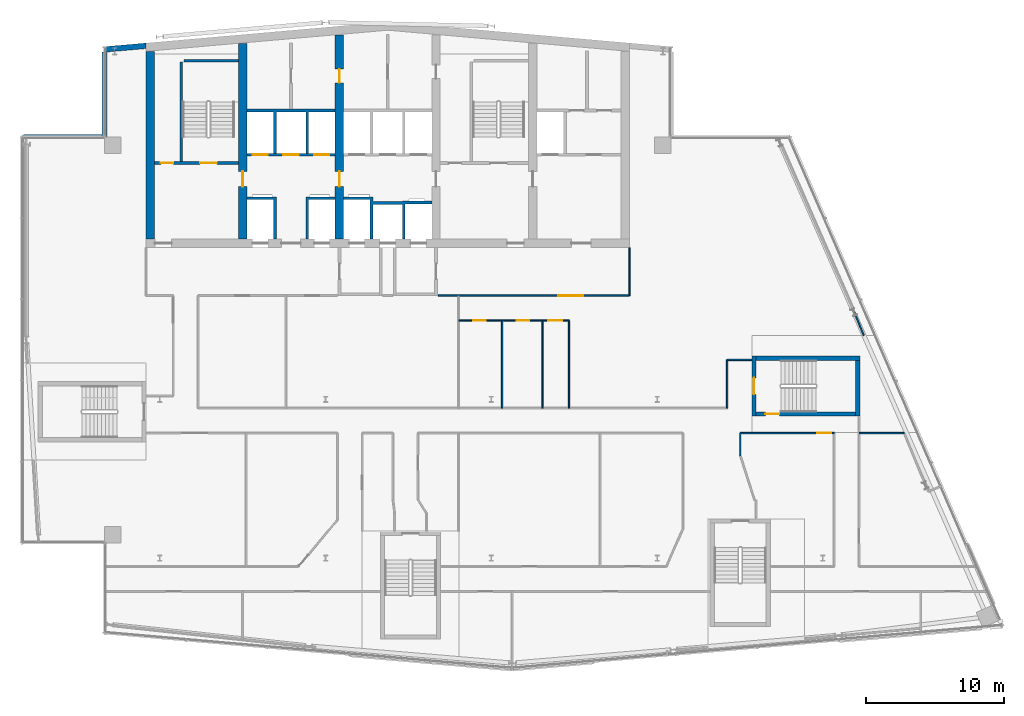
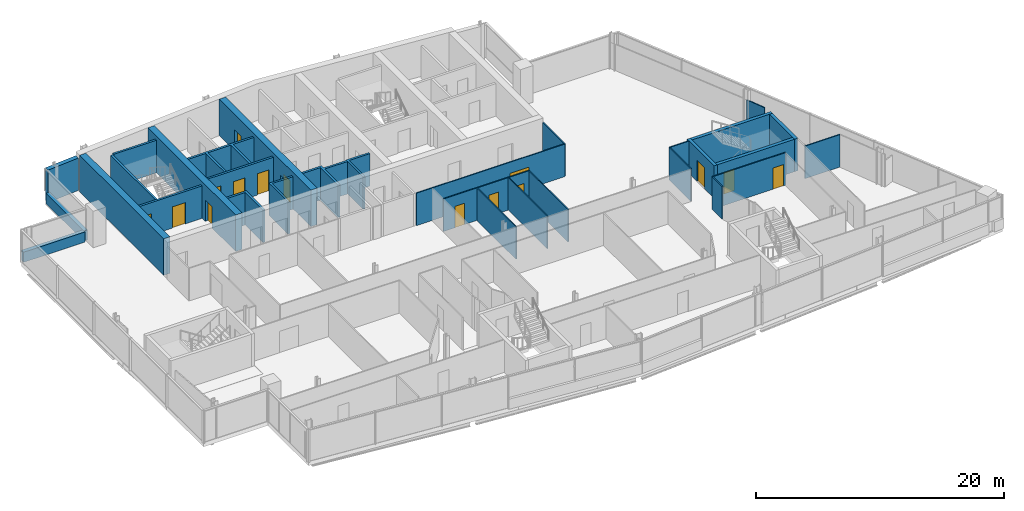
# One storey, part 17 of 22: 30 walls, 15 doors, 15 openings.
"""IFC4 building model written with IfcOpenShell, lengths in metres."""

import ifcopenshell
import ifcopenshell.guid

model = None  # the IFC model being written
_history = None  # IfcOwnerHistory: only IFC2X3 demands one
_inside = {}  # id of a spatial element -> (the spatial element, [elements in it])
_under = {}  # id of a project, library or spatial element -> (it, [spatial elements below it])
_declared = {}  # id of a project -> (the project, [libraries it declares])
_typed = {}  # id of a type object -> (the type object, [elements of that type])
_made_of = {}  # id of a material, layer set ... -> (it, [elements and type objects made of it])


def new_model(schema):
    """Start an empty IFC model of exactly this schema.

    Asked for "IFC4X3", IfcOpenShell would pick the latest addendum, in which some entities
    have other attributes; the version numbers below select the first issue.
    IFC2X3 requires an IfcOwnerHistory on every rooted entity: one is made here for all.
    """
    global model, _history
    if schema == "IFC4X3":
        model = ifcopenshell.file(schema_version=(4, 3, 0, 0))
    else:
        model = ifcopenshell.file(schema=schema)
    _inside.clear()
    _under.clear()
    _declared.clear()
    _typed.clear()
    _made_of.clear()
    _history = None
    if model.schema == "IFC2X3":
        org = make("IfcOrganization", Name="unknown")
        user = make(
            "IfcPersonAndOrganization",
            ThePerson=make("IfcPerson", FamilyName="unknown"),
            TheOrganization=org,
        )
        app = make(
            "IfcApplication",
            ApplicationDeveloper=org,
            Version="unknown",
            ApplicationFullName="unknown",
            ApplicationIdentifier="unknown",
        )
        _history = make(
            "IfcOwnerHistory",
            OwningUser=user,
            OwningApplication=app,
            ChangeAction="ADDED",
            CreationDate=0,
        )
    return model


def make(cls, **values):
    """One entity of the class cls with the attributes given. An attribute that is None is left unset."""
    return model.create_entity(
        cls, **{name: value for name, value in values.items() if value is not None}
    )


def rooted(cls, **values):
    """An entity with a GlobalId (a new one), such as an element, a storey or a relation."""
    return make(cls, GlobalId=ifcopenshell.guid.new(), OwnerHistory=_history, **values)


def si_unit(unit_type, name, prefix=None):
    """IfcSIUnit, for example si_unit("LENGTHUNIT", "METRE", prefix="MILLI")."""
    return make("IfcSIUnit", UnitType=unit_type, Prefix=prefix, Name=name)


def assignment(units):
    """IfcUnitAssignment: the units of a project."""
    return None if units is None else make("IfcUnitAssignment", Units=units)


def point(xyz):
    """IfcCartesianPoint."""
    return None if xyz is None else make("IfcCartesianPoint", Coordinates=xyz)


def direction(xyz):
    """IfcDirection."""
    return None if xyz is None else make("IfcDirection", DirectionRatios=xyz)


def frame(location, z_axis=None, x_axis=None):
    """IfcAxis2Placement3D, a coordinate frame: its origin and axes. An axis left out is left unset."""
    return make(
        "IfcAxis2Placement3D",
        Location=point(location),
        Axis=direction(z_axis),
        RefDirection=direction(x_axis),
    )


def frame_2d(location, x_axis=None):
    """IfcAxis2Placement2D, a coordinate frame in the plane: its origin and x axis."""
    return make(
        "IfcAxis2Placement2D", Location=point(location), RefDirection=direction(x_axis)
    )


def origin():
    """The frame at (0, 0, 0) with its axes left unset."""
    return frame((0.0, 0.0, 0.0))


def place(relative_to, where):
    """IfcLocalPlacement: puts the frame where relative to a parent placement (None: the world)."""
    return make(
        "IfcLocalPlacement", PlacementRelTo=relative_to, RelativePlacement=where
    )


def context(
    kind, dimensions, precision=None, world=None, true_north=None, identifier=None
):
    """IfcGeometricRepresentationContext, for example the 3D "Model" context."""
    return make(
        "IfcGeometricRepresentationContext",
        ContextIdentifier=identifier,
        ContextType=kind,
        CoordinateSpaceDimension=dimensions,
        Precision=precision,
        WorldCoordinateSystem=world,
        TrueNorth=true_north,
    )


def subcontext(parent, identifier, kind, view, scale=None):
    """IfcGeometricRepresentationSubContext, for example "Body" below "Model"."""
    return make(
        "IfcGeometricRepresentationSubContext",
        ContextIdentifier=identifier,
        ContextType=kind,
        ParentContext=parent,
        TargetScale=scale,
        TargetView=view,
    )


def project(units=None, contexts=None):
    """IfcProject with its units and contexts."""
    return rooted(
        "IfcProject",
        Name="project",
        RepresentationContexts=contexts,
        UnitsInContext=assignment(units),
    )


def spatial(cls, under=None, at=None, **own):
    """A site, building, storey or space (cls), placed at a placement, below another one or the project."""
    s = rooted(cls, ObjectPlacement=at, **own)
    if under is not None:
        _under.setdefault(under.id(), (under, []))[1].append(s)
    return s


def polyline(points):
    """IfcPolyline through the points."""
    return make("IfcPolyline", Points=[point(p) for p in points])


def profile(cls, at=None, kind="AREA", **sizes):
    """A parametric profile (cls). Its sizes go by their IFC names, for example OverallWidth=200.0."""
    return make(cls, ProfileType=kind, Position=at, **sizes)


def rectangle(**sizes):
    """IfcRectangleProfileDef."""
    return profile("IfcRectangleProfileDef", **sizes)


def outline(outer, holes=None, kind="AREA"):
    """IfcArbitraryClosedProfileDef: a profile drawn as a closed curve; with holes, ...WithVoids."""
    if holes is None:
        return make("IfcArbitraryClosedProfileDef", ProfileType=kind, OuterCurve=outer)
    return make(
        "IfcArbitraryProfileDefWithVoids",
        ProfileType=kind,
        OuterCurve=outer,
        InnerCurves=holes,
    )


def extrude(swept, where, along, depth):
    """IfcExtrudedAreaSolid: the profile swept, set in the frame where, extruded along a direction by depth."""
    return make(
        "IfcExtrudedAreaSolid",
        SweptArea=swept,
        Position=where,
        ExtrudedDirection=direction(along),
        Depth=depth,
    )


def shape(context_of_items, identifier, shape_type, items):
    """IfcShapeRepresentation: the items that make up one representation, for example the "Body"."""
    return make(
        "IfcShapeRepresentation",
        ContextOfItems=context_of_items,
        RepresentationIdentifier=identifier,
        RepresentationType=shape_type,
        Items=items,
    )


def material(Name=None, Category=None):
    """IfcMaterial."""
    return make("IfcMaterial", Name=Name, Category=Category)


def layer(
    of_material, thickness, ventilated=None, Name=None, Category=None, Priority=None
):
    """IfcMaterialLayer: one layer of a wall or slab, of a material (None: an air gap)."""
    return make(
        "IfcMaterialLayer",
        Material=of_material,
        LayerThickness=thickness,
        IsVentilated=ventilated,
        Name=Name,
        Category=Category,
        Priority=Priority,
    )


def layer_set(layers, Name=None):
    """IfcMaterialLayerSet."""
    return make("IfcMaterialLayerSet", MaterialLayers=layers, LayerSetName=Name)


def made_of(thing, what):
    """Note that an element or type object is made of a material, layer set ...; save() writes the relation."""
    if what is not None:
        _made_of.setdefault(what.id(), (what, []))[1].append(thing)
    return thing


def type_object(cls, material=None, **own):
    """A type object (cls), such as IfcWallType, which elements share."""
    return made_of(rooted(cls, **own), material)


def element(
    cls,
    number,
    at=None,
    inside=None,
    cuts=None,
    type_object=None,
    material=None,
    context=None,
    identifier="Body",
    shape_type=None,
    held_by="IfcProductDefinitionShape",
    body=None,
    shapes=None,
    **own,
):
    """One element of the class cls, such as IfcWall. Its Tag is "e" and its number.

    at: its placement. inside: the storey or other place that contains it. cuts: it is an
    opening in that element (IfcRelVoidsElement). A single representation is given by context,
    identifier, shape_type and body (its items); several are given by shapes. held_by: the class
    of the entity that holds the representations. save() writes the other relations.
    """
    e = rooted(cls, Tag="e%d" % number, ObjectPlacement=at, **own)
    if body is not None:
        shapes = [shape(context, identifier, shape_type, body)]
    if shapes is not None:
        e.Representation = make(held_by, Representations=shapes)
    if inside is not None:
        _inside.setdefault(inside.id(), (inside, []))[1].append(e)
    if cuts is not None:
        rooted(
            "IfcRelVoidsElement", RelatingBuildingElement=cuts, RelatedOpeningElement=e
        )
    if type_object is not None:
        _typed.setdefault(type_object.id(), (type_object, []))[1].append(e)
    return made_of(e, material)


def fill(opening, filler):
    """IfcRelFillsElement: the door or window that sits in an opening."""
    return rooted(
        "IfcRelFillsElement",
        RelatingOpeningElement=opening,
        RelatedBuildingElement=filler,
    )


def aggregate(whole, parts):
    """IfcRelAggregates: a whole, such as a stair, and the parts it consists of."""
    return rooted("IfcRelAggregates", RelatingObject=whole, RelatedObjects=parts)


def save(model, path):
    """Write the relations noted so far, then the file.

    IfcRelAggregates (storeys below a building ...), IfcRelContainedInSpatialStructure (elements
    in a storey), IfcRelDefinesByType, IfcRelAssociatesMaterial and IfcRelDeclares: one each for
    every whole, place, type object, material and project.
    """
    for whole, parts in _under.values():
        aggregate(whole, parts)
    for where, things in _inside.values():
        rooted(
            "IfcRelContainedInSpatialStructure",
            RelatedElements=things,
            RelatingStructure=where,
        )
    for kind, things in _typed.values():
        rooted("IfcRelDefinesByType", RelatedObjects=things, RelatingType=kind)
    for what, things in _made_of.values():
        rooted("IfcRelAssociatesMaterial", RelatedObjects=things, RelatingMaterial=what)
    for by, libraries in _declared.values():
        rooted("IfcRelDeclares", RelatingContext=by, RelatedDefinitions=libraries)
    model.write(path)


model = new_model("IFC4")

# Units and contexts
model_context = context("Model", 3, precision=1e-05, world=origin(), true_north=direction((0.0, 1.0)))
body_context = subcontext(model_context, "Body", "Model", "MODEL_VIEW")
ifc_project = project(units=[si_unit("LENGTHUNIT", "METRE"), si_unit("AREAUNIT", "SQUARE_METRE"), si_unit("VOLUMEUNIT", "CUBIC_METRE"), si_unit("PLANEANGLEUNIT", "RADIAN"), si_unit("MASSUNIT", "GRAM", prefix="KILO")], contexts=[model_context])

# Site, building, storey
site_placement = place(None, origin())
site = spatial("IfcSite", under=ifc_project, at=site_placement, CompositionType="ELEMENT")
building_placement = place(site_placement, origin())
building = spatial("IfcBuilding", under=site, at=building_placement, Name="Wharfspan Tower", CompositionType="ELEMENT")
storey_placement = place(building_placement, frame((0.0, 0.0, 246.699951)))
storey = spatial("IfcBuildingStorey", under=building, at=storey_placement, Name="L62", CompositionType="ELEMENT", Elevation=246.699951)

# Walls
ifc_material_1 = material(Name="Gypsum board on steel studs", Category="steel")
ifc_layer_1 = layer(ifc_material_1, 0.100098)
ifc_layer_set_1 = layer_set([ifc_layer_1], Name="Gypsum board on steel studs")
wall_type_1 = type_object("IfcWallType", Name="Compartment wall 100 EI 60", PredefinedType="PARTITIONING", material=ifc_layer_set_1)
for number, where, z_axis, x_axis, name in (
    (1, (48.784912, 22.360107, 0.0), (0.0, 0.0, 1.0), (0.0, 1.0, 0.0), "Partition L62.w035"),
    (2, (51.705078, 22.360107, 0.0), (0.0, 0.0, 1.0), (0.0, 1.0, 0.0), "Partition L62.w037"),
    (3, (53.625, 22.360107, 0.0), (0.0, 0.0, 1.0), (0.0, 1.0, 0.0), "Partition L62.w038"),
):
    element("IfcWall", number, at=place(storey_placement, frame(where, z_axis=z_axis, x_axis=x_axis)), inside=storey, type_object=wall_type_1, Name=name, PredefinedType="PARTITIONING", context=body_context, shape_type="SweptSolid", body=[
        extrude(rectangle(XDim=6.339844, YDim=0.100098, at=frame_2d((3.169922, 0.0))), origin(), (0.0, 0.0, 1.0), 3.199951),
    ])
wall_1_placement = place(storey_placement, frame((58.0, 30.5, 0.0), z_axis=(0.0, 0.0, 1.0), x_axis=(0.0, 1.0, 0.0)))
element("IfcWall", 4, at=wall_1_placement, inside=storey, type_object=wall_type_1, Name="Partition L62.w040", PredefinedType="PARTITIONING", context=body_context, shape_type="SweptSolid", body=[
    extrude(rectangle(XDim=3.47998, YDim=0.100098, at=frame_2d((1.73999, 0.0))), origin(), (0.0, 0.0, 1.0), 3.199951),
])
wall_2_placement = place(storey_placement, frame((65.070068, 22.360107, 0.0), z_axis=(0.0, 0.0, 1.0), x_axis=(0.0, 1.0, 0.0)))
element("IfcWall", 5, at=wall_2_placement, inside=storey, type_object=wall_type_1, Name="Partition L62.w047", PredefinedType="PARTITIONING", context=body_context, shape_type="SweptSolid", body=[
    extrude(rectangle(XDim=3.494873, YDim=0.100098, at=frame_2d((1.747559, 0.0))), origin(), (0.0, 0.0, 1.0), 3.199951),
])
wall_3_placement = place(storey_placement, frame((65.070068, 25.85498, 0.0), z_axis=(0.0, 0.0, 1.0), x_axis=(1.0, 0.0, 0.0)))
element("IfcWall", 6, at=wall_3_placement, inside=storey, type_object=wall_type_1, Name="Partition L62.w048", PredefinedType="PARTITIONING", context=body_context, shape_type="SweptSolid", body=[
    extrude(rectangle(XDim=1.779541, YDim=0.100098, at=frame_2d((0.889648, 0.0))), origin(), (0.0, 0.0, 1.0), 3.199951),
])
wall_4_placement = place(storey_placement, frame((66.02002, 18.915039, 0.0), z_axis=(0.0, 0.0, 1.0), x_axis=(0.0, 1.0, 0.0)))
element("IfcWall", 7, at=wall_4_placement, inside=storey, type_object=wall_type_1, Name="Partition L62.w049", PredefinedType="PARTITIONING", context=body_context, shape_type="SweptSolid", body=[
    extrude(rectangle(XDim=1.639893, YDim=0.100098, at=frame_2d((0.819824, 0.0))), origin(), (0.0, 0.0, 1.0), 3.199951),
])

# Wall, opening, door
wall_5_placement = place(storey_placement, frame((66.02002, 20.554932, 0.0), z_axis=(0.0, 0.0, 1.0), x_axis=(1.0, 0.0, 0.0)))
wall_5 = element("IfcWall", 8, at=wall_5_placement, inside=storey, type_object=wall_type_1, Name="Partition L62.w050", PredefinedType="PARTITIONING", context=body_context, shape_type="SweptSolid", body=[
    extrude(rectangle(XDim=6.794922, YDim=0.100098, at=frame_2d((3.397461, 0.0))), origin(), (0.0, 0.0, 1.0), 3.199951),
])
opening_1_placement = place(wall_5_placement, frame((5.583496, 0.0, 0.0)))
opening_1 = element("IfcOpeningElement", 9, at=opening_1_placement, cuts=wall_5, Name="Opening D5-14", PredefinedType="OPENING", context=body_context, shape_type="SweptSolid", body=[
    extrude(rectangle(XDim=1.0, YDim=2.100098, at=frame_2d((0.5, 1.050049))), frame((0.0, 0.060059, 0.0), z_axis=(0.0, -1.0, 0.0), x_axis=(1.0, 0.0, 0.0)), (0.0, 0.0, 1.0), 0.120117),
])
ifc_material_2 = material(Name="Fire-rated timber door leaf in steel frame", Category="steel")
door_type_1 = type_object("IfcDoorType", Name="Door 1000 FD30S Right", OperationType="SINGLE_SWING_RIGHT", PredefinedType="DOOR", material=ifc_material_2)
door_1_placement = place(opening_1_placement, origin())
door_1 = element("IfcDoor", 10, at=door_1_placement, inside=storey, type_object=door_type_1, Name="Door D5-14", OperationType="SINGLE_SWING_RIGHT", OverallHeight=2.100098, OverallWidth=1.0, PredefinedType="DOOR", context=body_context, shape_type="SweptSolid", body=[
    extrude(rectangle(XDim=1.0, YDim=2.100098, at=frame_2d((0.5, 1.050049))), frame((0.0, 0.024902, 0.0), z_axis=(0.0, -1.0, 0.0), x_axis=(1.0, 0.0, 0.0)), (0.0, 0.0, 1.0), 0.050049),
])
fill(opening_1, door_1)

# Wall
wall_6_placement = place(storey_placement, frame((74.620117, 20.554932, 0.0), z_axis=(0.0, 0.0, 1.0), x_axis=(1.0, 0.0, 0.0)))
element("IfcWall", 11, at=wall_6_placement, inside=storey, type_object=wall_type_1, Name="Partition L62.w063", PredefinedType="PARTITIONING", context=body_context, shape_type="SweptSolid", body=[
    extrude(rectangle(XDim=3.259766, YDim=0.100098, at=frame_2d((1.629883, 0.0))), origin(), (0.0, 0.0, 1.0), 3.199951),
])

# Wall, opening, door
wall_7_placement = place(storey_placement, frame((44.149902, 30.5, 0.0), z_axis=(0.0, 0.0, 1.0), x_axis=(1.0, 0.0, 0.0)))
wall_7 = element("IfcWall", 12, at=wall_7_placement, inside=storey, type_object=wall_type_1, Name="Partition L62.w013 (3)", PredefinedType="PARTITIONING", context=body_context, shape_type="SweptSolid", body=[
    extrude(rectangle(XDim=13.850098, YDim=0.100098, at=frame_2d((6.925049, 0.0))), origin(), (0.0, 0.0, 1.0), 3.199951),
])
opening_2_placement = place(wall_7_placement, frame((8.695068, 0.0, 0.0)))
opening_2 = element("IfcOpeningElement", 13, at=opening_2_placement, cuts=wall_7, Name="Opening D5-21", PredefinedType="OPENING", context=body_context, shape_type="SweptSolid", body=[
    extrude(rectangle(XDim=1.800049, YDim=2.100098, at=frame_2d((0.899902, 1.050049))), frame((0.0, 0.060059, 0.0), z_axis=(0.0, -1.0, 0.0), x_axis=(1.0, 0.0, 0.0)), (0.0, 0.0, 1.0), 0.120117),
])
door_type_2 = type_object("IfcDoorType", Name="Door 1800 FD30S Double", OperationType="DOUBLE_DOOR_SINGLE_SWING", PredefinedType="DOOR", material=ifc_material_2)
door_2_placement = place(opening_2_placement, origin())
door_2 = element("IfcDoor", 14, at=door_2_placement, inside=storey, type_object=door_type_2, Name="Door D5-21", OperationType="DOUBLE_DOOR_SINGLE_SWING", OverallHeight=2.100098, OverallWidth=1.800049, PredefinedType="DOOR", context=body_context, shape_type="SweptSolid", body=[
    extrude(rectangle(XDim=1.800049, YDim=2.100098, at=frame_2d((0.899902, 1.050049))), frame((0.0, 0.024902, 0.0), z_axis=(0.0, -1.0, 0.0), x_axis=(1.0, 0.0, 0.0)), (0.0, 0.0, 1.0), 0.050049),
])
fill(opening_2, door_2)

# Wall
ifc_material_3 = material(Name="Concrete C50/60", Category="concrete")
ifc_layer_2 = layer(ifc_material_3, 0.600098)
ifc_layer_set_2 = layer_set([ifc_layer_2], Name="Concrete C50/60")
wall_type_2 = type_object("IfcWallType", Name="Core wall 600 C50/60", PredefinedType="SHEAR", material=ifc_layer_set_2)
wall_8_placement = place(storey_placement, frame((23.300049, 34.600098, 0.0), z_axis=(0.0, 0.0, 1.0), x_axis=(0.0, 1.0, 0.0)))
element("IfcWall", 15, at=wall_8_placement, inside=storey, type_object=wall_type_2, Name="Core cross wall EW0 L62", PredefinedType="SHEAR", context=body_context, shape_type="SweptSolid", body=[
    extrude(rectangle(XDim=13.584961, YDim=0.600098, at=frame_2d((6.79248, 0.0))), origin(), (0.0, 0.0, 1.0), 3.600098),
])

# Wall, opening, door
wall_9_placement = place(storey_placement, frame((30.0, 34.600098, 0.0), z_axis=(0.0, 0.0, 1.0), x_axis=(0.0, 1.0, 0.0)))
wall_9 = element("IfcWall", 16, at=wall_9_placement, inside=storey, type_object=wall_type_2, Name="Core cross wall X3 L62", PredefinedType="SHEAR", context=body_context, shape_type="SweptSolid", body=[
    extrude(rectangle(XDim=14.171143, YDim=0.600098, at=frame_2d((7.085449, 0.0))), origin(), (0.0, 0.0, 1.0), 3.600098),
])
opening_3_placement = place(wall_9_placement, frame((3.800049, 0.0, 0.0)))
opening_3 = element("IfcOpeningElement", 17, at=opening_3_placement, cuts=wall_9, Name="Opening CC62.3", PredefinedType="OPENING", context=body_context, shape_type="SweptSolid", body=[
    extrude(rectangle(XDim=1.100098, YDim=2.100098, at=frame_2d((0.550049, 1.050049))), frame((0.0, 0.310059, 0.0), z_axis=(0.0, -1.0, 0.0), x_axis=(1.0, 0.0, 0.0)), (0.0, 0.0, 1.0), 0.620117),
])
ifc_material_4 = material(Name="Steel door leaf", Category="steel")
door_type_3 = type_object("IfcDoorType", Name="Core corridor door 1100x2100", OperationType="SINGLE_SWING_LEFT", PredefinedType="DOOR", material=ifc_material_4)
door_3_placement = place(opening_3_placement, origin())
door_3 = element("IfcDoor", 18, at=door_3_placement, inside=storey, type_object=door_type_3, Name="xd:L62:3", OperationType="SINGLE_SWING_LEFT", OverallHeight=2.100098, OverallWidth=1.100098, PredefinedType="DOOR", context=body_context, shape_type="SweptSolid", body=[
    extrude(rectangle(XDim=1.100098, YDim=2.100098, at=frame_2d((0.550049, 1.050049))), frame((0.0, 0.024902, 0.0), z_axis=(0.0, -1.0, 0.0), x_axis=(1.0, 0.0, 0.0)), (0.0, 0.0, 1.0), 0.050049),
])
fill(opening_3, door_3)

# Wall, openings, doors
wall_10_placement = place(storey_placement, frame((37.0, 34.600098, 0.0), z_axis=(0.0, 0.0, 1.0), x_axis=(0.0, 1.0, 0.0)))
wall_10 = element("IfcWall", 19, at=wall_10_placement, inside=storey, type_object=wall_type_2, Name="Core cross wall X4 L62", PredefinedType="SHEAR", context=body_context, shape_type="SweptSolid", body=[
    extrude(rectangle(XDim=14.783691, YDim=0.600098, at=frame_2d((7.391846, 0.0))), origin(), (0.0, 0.0, 1.0), 3.600098),
])
opening_4_placement = place(wall_10_placement, frame((11.302002, 0.0, 0.0)))
opening_4 = element("IfcOpeningElement", 20, at=opening_4_placement, cuts=wall_10, Name="Opening CD62.3X", PredefinedType="OPENING", context=body_context, shape_type="SweptSolid", body=[
    extrude(rectangle(XDim=1.0, YDim=2.100098, at=frame_2d((0.5, 1.050049))), frame((0.0, 0.310059, 0.0), z_axis=(0.0, -1.0, 0.0), x_axis=(1.0, 0.0, 0.0)), (0.0, 0.0, 1.0), 0.620117),
])
opening_5_placement = place(wall_10_placement, frame((3.800049, 0.0, 0.0)))
opening_5 = element("IfcOpeningElement", 21, at=opening_5_placement, cuts=wall_10, Name="Opening CC62.4", PredefinedType="OPENING", context=body_context, shape_type="SweptSolid", body=[
    extrude(rectangle(XDim=1.100098, YDim=2.100098, at=frame_2d((0.550049, 1.050049))), frame((0.0, 0.310059, 0.0), z_axis=(0.0, -1.0, 0.0), x_axis=(1.0, 0.0, 0.0)), (0.0, 0.0, 1.0), 0.620117),
])
door_4_placement = place(opening_5_placement, origin())
door_4 = element("IfcDoor", 22, at=door_4_placement, inside=storey, type_object=door_type_3, Name="xd:L62:4", OperationType="SINGLE_SWING_RIGHT", OverallHeight=2.100098, OverallWidth=1.100098, PredefinedType="DOOR", context=body_context, shape_type="SweptSolid", body=[
    extrude(rectangle(XDim=1.100098, YDim=2.100098, at=frame_2d((0.550049, 1.050049))), frame((0.0, 0.024902, 0.0), z_axis=(0.0, -1.0, 0.0), x_axis=(1.0, 0.0, 0.0)), (0.0, 0.0, 1.0), 0.050049),
])
fill(opening_5, door_4)
door_type_4 = type_object("IfcDoorType", Name="Core room door 1000x2100", OperationType="SINGLE_SWING_LEFT", PredefinedType="DOOR", material=ifc_material_4)
door_5_placement = place(opening_4_placement, origin())
door_5 = element("IfcDoor", 23, at=door_5_placement, inside=storey, type_object=door_type_4, Name="d:L62:3:sx", OperationType="SINGLE_SWING_LEFT", OverallHeight=2.100098, OverallWidth=1.0, PredefinedType="DOOR", context=body_context, shape_type="SweptSolid", body=[
    extrude(rectangle(XDim=1.0, YDim=2.100098, at=frame_2d((0.5, 1.050049))), frame((0.0, 0.024902, 0.0), z_axis=(0.0, -1.0, 0.0), x_axis=(1.0, 0.0, 0.0)), (0.0, 0.0, 1.0), 0.050049),
])
fill(opening_4, door_5)

ifc_material_5 = material(Name="Concrete C30/37", Category="concrete")
ifc_layer_3 = layer(ifc_material_5, 0.199951)
ifc_layer_set_3 = layer_set([ifc_layer_3], Name="Concrete C30/37")
wall_type_3 = type_object("IfcWallType", Name="Lift shaft wall 200", PredefinedType="PARTITIONING", material=ifc_layer_set_3)
wall_11_placement = place(storey_placement, frame((30.300049, 40.699951, 0.0), z_axis=(0.0, 0.0, 1.0), x_axis=(1.0, 0.0, 0.0)))
wall_11 = element("IfcWall", 24, at=wall_11_placement, inside=storey, type_object=wall_type_3, Name="sw:L62:RF3", PredefinedType="PARTITIONING", context=body_context, shape_type="SweptSolid", body=[
    extrude(rectangle(XDim=6.399902, YDim=0.199951, at=frame_2d((3.199951, 0.0))), origin(), (0.0, 0.0, 1.0), 3.199951),
])
opening_6_placement = place(wall_11_placement, frame((0.416748, 0.0, 0.0)))
opening_6 = element("IfcOpeningElement", 25, at=opening_6_placement, cuts=wall_11, Name="Opening LD.LB1.L62", PredefinedType="OPENING", context=body_context, shape_type="SweptSolid", body=[
    extrude(rectangle(XDim=1.100098, YDim=2.100098, at=frame_2d((0.550049, 1.050049))), frame((0.0, 0.109863, 0.0), z_axis=(0.0, -1.0, 0.0), x_axis=(1.0, 0.0, 0.0)), (0.0, 0.0, 1.0), 0.219971),
])
opening_7_placement = place(wall_11_placement, frame((2.649902, 0.0, 0.0)))
opening_7 = element("IfcOpeningElement", 26, at=opening_7_placement, cuts=wall_11, Name="Opening LD.LB2.L62", PredefinedType="OPENING", context=body_context, shape_type="SweptSolid", body=[
    extrude(rectangle(XDim=1.100098, YDim=2.100098, at=frame_2d((0.550049, 1.050049))), frame((0.0, 0.109863, 0.0), z_axis=(0.0, -1.0, 0.0), x_axis=(1.0, 0.0, 0.0)), (0.0, 0.0, 1.0), 0.219971),
])
opening_8_placement = place(wall_11_placement, frame((4.883301, 0.0, 0.0)))
opening_8 = element("IfcOpeningElement", 27, at=opening_8_placement, cuts=wall_11, Name="Opening LD.LB3.L62", PredefinedType="OPENING", context=body_context, shape_type="SweptSolid", body=[
    extrude(rectangle(XDim=1.100098, YDim=2.100098, at=frame_2d((0.550049, 1.050049))), frame((0.0, 0.109863, 0.0), z_axis=(0.0, -1.0, 0.0), x_axis=(1.0, 0.0, 0.0)), (0.0, 0.0, 1.0), 0.219971),
])
ifc_material_6 = material(Name="Stainless steel", Category="steel")
door_type_5 = type_object("IfcDoorType", Name="Lift landing door 1100x2100", OperationType="DOUBLE_DOOR_SLIDING", PredefinedType="DOOR", material=ifc_material_6)
door_6_placement = place(opening_6_placement, origin())
door_6 = element("IfcDoor", 28, at=door_6_placement, inside=storey, type_object=door_type_5, Name="Landing door LB1 L62", OperationType="DOUBLE_DOOR_SLIDING", OverallHeight=2.100098, OverallWidth=1.100098, PredefinedType="DOOR", context=body_context, shape_type="SweptSolid", body=[
    extrude(rectangle(XDim=1.100098, YDim=2.100098, at=frame_2d((0.550049, 1.050049))), frame((0.0, 0.024902, 0.0), z_axis=(0.0, -1.0, 0.0), x_axis=(1.0, 0.0, 0.0)), (0.0, 0.0, 1.0), 0.050049),
])
fill(opening_6, door_6)
door_7_placement = place(opening_7_placement, origin())
door_7 = element("IfcDoor", 29, at=door_7_placement, inside=storey, type_object=door_type_5, Name="Landing door LB2 L62", OperationType="DOUBLE_DOOR_SLIDING", OverallHeight=2.100098, OverallWidth=1.100098, PredefinedType="DOOR", context=body_context, shape_type="SweptSolid", body=[
    extrude(rectangle(XDim=1.100098, YDim=2.100098, at=frame_2d((0.550049, 1.050049))), frame((0.0, 0.024902, 0.0), z_axis=(0.0, -1.0, 0.0), x_axis=(1.0, 0.0, 0.0)), (0.0, 0.0, 1.0), 0.050049),
])
fill(opening_7, door_7)
door_8_placement = place(opening_8_placement, origin())
door_8 = element("IfcDoor", 30, at=door_8_placement, inside=storey, type_object=door_type_5, Name="Landing door LB3 L62", OperationType="DOUBLE_DOOR_SLIDING", OverallHeight=2.100098, OverallWidth=1.100098, PredefinedType="DOOR", context=body_context, shape_type="SweptSolid", body=[
    extrude(rectangle(XDim=1.100098, YDim=2.100098, at=frame_2d((0.550049, 1.050049))), frame((0.0, 0.024902, 0.0), z_axis=(0.0, -1.0, 0.0), x_axis=(1.0, 0.0, 0.0)), (0.0, 0.0, 1.0), 0.050049),
])
fill(opening_8, door_8)

# Walls
wall_12_placement = place(storey_placement, frame((0.0, 0.0, -0.000244)))
element("IfcWall", 31, at=wall_12_placement, inside=storey, type_object=wall_type_3, Name="sw:L62:FM3.0", PredefinedType="PARTITIONING", context=body_context, shape_type="SweptSolid", body=[
    extrude(outline(polyline([(32.233398, 37.449951), (30.300049, 37.449951), (30.300049, 37.649902), (32.233398, 37.649902), (32.43335, 37.649902), (32.43335, 34.600098), (32.233398, 34.600098), (32.233398, 37.449951)])), origin(), (0.0, 0.0, 1.0), 3.200195),
])
wall_13_placement = place(storey_placement, frame((0.0, 0.0, -0.000244)))
element("IfcWall", 32, at=wall_13_placement, inside=storey, type_object=wall_type_3, Name="sw:L62:FM3.1", PredefinedType="PARTITIONING", context=body_context, shape_type="SweptSolid", body=[
    extrude(outline(polyline([(34.56665, 37.649902), (34.766602, 37.649902), (36.699951, 37.649902), (36.699951, 37.449951), (34.766602, 37.449951), (34.766602, 34.600098), (34.56665, 34.600098), (34.56665, 37.649902)])), origin(), (0.0, 0.0, 1.0), 3.200195),
])
wall_14_placement = place(storey_placement, frame((0.0, 0.0, -0.000244)))
element("IfcWall", 33, at=wall_14_placement, inside=storey, type_object=wall_type_3, Name="sw:L62:RM3.0", PredefinedType="PARTITIONING", context=body_context, shape_type="SweptSolid", body=[
    extrude(outline(polyline([(32.43335, 40.800049), (32.233398, 40.800049), (32.233398, 43.800049), (30.300049, 43.800049), (30.300049, 44.0), (36.699951, 44.0), (36.699951, 43.800049), (34.766602, 43.800049), (34.766602, 40.800049), (34.56665, 40.800049), (34.56665, 43.800049), (32.43335, 43.800049), (32.43335, 40.800049)])), origin(), (0.0, 0.0, 1.0), 3.200195),
])
wall_15_placement = place(storey_placement, frame((0.0, 0.0, -0.000244)))
element("IfcWall", 34, at=wall_15_placement, inside=storey, type_object=wall_type_3, Name="sw:L62:FM4.0", PredefinedType="PARTITIONING", context=body_context, shape_type="SweptSolid", body=[
    extrude(outline(polyline([(41.56665, 37.100098), (39.43335, 37.100098), (39.43335, 34.600098), (39.233398, 34.600098), (39.233398, 37.449951), (37.300049, 37.449951), (37.300049, 37.649902), (39.233398, 37.649902), (39.43335, 37.649902), (39.43335, 37.300049), (41.56665, 37.300049), (41.56665, 37.350098), (41.766602, 37.350098), (43.699951, 37.350098), (43.699951, 37.149902), (41.766602, 37.149902), (41.766602, 34.600098), (41.56665, 34.600098), (41.56665, 37.100098)])), origin(), (0.0, 0.0, 1.0), 3.200195),
])

# Wall, openings, doors
ifc_layer_4 = layer(ifc_material_1, 0.100098)
ifc_layer_set_4 = layer_set([ifc_layer_4], Name="Gypsum board on steel studs")
wall_type_4 = type_object("IfcWallType", Name="Partition 100", PredefinedType="PARTITIONING", material=ifc_layer_set_4)
wall_16_placement = place(storey_placement, frame((45.625, 28.699951, 0.0), z_axis=(0.0, 0.0, 1.0), x_axis=(1.0, 0.0, 0.0)))
wall_16 = element("IfcWall", 35, at=wall_16_placement, inside=storey, type_object=wall_type_4, Name="Partition L62.w034", PredefinedType="PARTITIONING", context=body_context, shape_type="SweptSolid", body=[
    extrude(rectangle(XDim=8.0, YDim=0.100098, at=frame_2d((4.0, 0.0))), origin(), (0.0, 0.0, 1.0), 3.199951),
])
opening_9_placement = place(wall_16_placement, frame((1.070068, 0.0, 0.0)))
opening_9 = element("IfcOpeningElement", 36, at=opening_9_placement, cuts=wall_16, Name="Opening D5-15", PredefinedType="OPENING", context=body_context, shape_type="SweptSolid", body=[
    extrude(rectangle(XDim=0.899902, YDim=2.100098, at=frame_2d((0.449951, 1.050049))), frame((0.0, 0.060059, 0.0), z_axis=(0.0, -1.0, 0.0), x_axis=(1.0, 0.0, 0.0)), (0.0, 0.0, 1.0), 0.120117),
])
opening_10_placement = place(wall_16_placement, frame((4.22998, 0.0, 0.0)))
opening_10 = element("IfcOpeningElement", 37, at=opening_10_placement, cuts=wall_16, Name="Opening D5-16", PredefinedType="OPENING", context=body_context, shape_type="SweptSolid", body=[
    extrude(rectangle(XDim=0.899902, YDim=2.100098, at=frame_2d((0.449951, 1.050049))), frame((0.0, 0.060059, 0.0), z_axis=(0.0, -1.0, 0.0), x_axis=(1.0, 0.0, 0.0)), (0.0, 0.0, 1.0), 0.120117),
])
opening_11_placement = place(wall_16_placement, frame((6.5, 0.0, 0.0)))
opening_11 = element("IfcOpeningElement", 38, at=opening_11_placement, cuts=wall_16, Name="Opening D5-17", PredefinedType="OPENING", context=body_context, shape_type="SweptSolid", body=[
    extrude(rectangle(XDim=1.0, YDim=2.100098, at=frame_2d((0.5, 1.050049))), frame((0.0, 0.060059, 0.0), z_axis=(0.0, -1.0, 0.0), x_axis=(1.0, 0.0, 0.0)), (0.0, 0.0, 1.0), 0.120117),
])
ifc_material_7 = material(Name="Timber door leaf in steel frame", Category="steel")
door_type_6 = type_object("IfcDoorType", Name="Door 1000 NOT RATED Right", OperationType="SINGLE_SWING_RIGHT", PredefinedType="DOOR", material=ifc_material_7)
door_9_placement = place(opening_11_placement, origin())
door_9 = element("IfcDoor", 39, at=door_9_placement, inside=storey, type_object=door_type_6, Name="Door D5-17", OperationType="SINGLE_SWING_RIGHT", OverallHeight=2.100098, OverallWidth=1.0, PredefinedType="DOOR", context=body_context, shape_type="SweptSolid", body=[
    extrude(rectangle(XDim=1.0, YDim=2.100098, at=frame_2d((0.5, 1.050049))), frame((0.0, 0.024902, 0.0), z_axis=(0.0, -1.0, 0.0), x_axis=(1.0, 0.0, 0.0)), (0.0, 0.0, 1.0), 0.050049),
])
fill(opening_11, door_9)
door_type_7 = type_object("IfcDoorType", Name="Door 900 NOT RATED Left", OperationType="SINGLE_SWING_LEFT", PredefinedType="DOOR", material=ifc_material_7)
door_10_placement = place(opening_9_placement, origin())
door_10 = element("IfcDoor", 40, at=door_10_placement, inside=storey, type_object=door_type_7, Name="Door D5-15", OperationType="SINGLE_SWING_LEFT", OverallHeight=2.100098, OverallWidth=0.899902, PredefinedType="DOOR", context=body_context, shape_type="SweptSolid", body=[
    extrude(rectangle(XDim=0.899902, YDim=2.100098, at=frame_2d((0.449951, 1.050049))), frame((0.0, 0.024902, 0.0), z_axis=(0.0, -1.0, 0.0), x_axis=(1.0, 0.0, 0.0)), (0.0, 0.0, 1.0), 0.050049),
])
fill(opening_9, door_10)
door_type_8 = type_object("IfcDoorType", Name="Door 900 NOT RATED Right", OperationType="SINGLE_SWING_RIGHT", PredefinedType="DOOR", material=ifc_material_7)
door_11_placement = place(opening_10_placement, origin())
door_11 = element("IfcDoor", 41, at=door_11_placement, inside=storey, type_object=door_type_8, Name="Door D5-16", OperationType="SINGLE_SWING_RIGHT", OverallHeight=2.100098, OverallWidth=0.899902, PredefinedType="DOOR", context=body_context, shape_type="SweptSolid", body=[
    extrude(rectangle(XDim=0.899902, YDim=2.100098, at=frame_2d((0.449951, 1.050049))), frame((0.0, 0.024902, 0.0), z_axis=(0.0, -1.0, 0.0), x_axis=(1.0, 0.0, 0.0)), (0.0, 0.0, 1.0), 0.050049),
])
fill(opening_10, door_11)

# Walls
wall_17_placement = place(storey_placement, frame((74.961914, 27.620117, 0.0), z_axis=(0.0, 0.0, 1.0), x_axis=(-0.381293, 0.924452, 0.0)))
element("IfcWall", 42, at=wall_17_placement, inside=storey, type_object=wall_type_4, Name="Partition L62.w064", PredefinedType="PARTITIONING", context=body_context, shape_type="SweptSolid", body=[
    extrude(rectangle(XDim=1.828125, YDim=0.100098, at=frame_2d((0.914062, 0.0))), origin(), (0.0, 0.0, 1.0), 2.580078),
])
ifc_material_8 = material(Name="Concrete C40/50", Category="concrete")
ifc_layer_5 = layer(ifc_material_8, 0.350098)
ifc_layer_set_5 = layer_set([ifc_layer_5], Name="Concrete C40/50")
wall_type_5 = type_object("IfcWallType", Name="SPANDREL EXPOSED CONCRETE 350", PredefinedType="SOLIDWALL", material=ifc_layer_set_5)
wall_18_placement = place(storey_placement, frame((19.995117, 48.126465, 0.0), z_axis=(0.0, 0.0, 1.0), x_axis=(0.0, -1.0, 0.0)))
element("IfcWall", 43, at=wall_18_placement, inside=storey, type_object=wall_type_5, Name="Spandrel upstand L62 NRW-V", PredefinedType="SOLIDWALL", context=body_context, shape_type="SweptSolid", body=[
    extrude(rectangle(XDim=6.126465, YDim=0.350098, at=frame_2d((3.063232, 0.0))), origin(), (0.0, 0.0, 1.0), 1.0),
])
wall_19_placement = place(storey_placement, frame((19.820068, 42.004883, 0.0), z_axis=(0.0, 0.0, 1.0), x_axis=(-1.0, 0.0, 0.0)))
element("IfcWall", 44, at=wall_19_placement, inside=storey, type_object=wall_type_5, Name="Spandrel upstand L62 NRW-H", PredefinedType="SOLIDWALL", context=body_context, shape_type="SweptSolid", body=[
    extrude(rectangle(XDim=5.699951, YDim=0.350098, at=frame_2d((2.850098, 0.0))), origin(), (0.0, 0.0, 1.0), 1.0),
])

# Wall, opening, door
ifc_layer_6 = layer(ifc_material_8, 0.300049)
ifc_layer_set_6 = layer_set([ifc_layer_6], Name="Concrete C40/50")
wall_type_6 = type_object("IfcWallType", Name="Stair core wall 300", PredefinedType="SHEAR", material=ifc_layer_set_6)
wall_20_placement = place(storey_placement, frame((67.019531, 21.774902, 0.0), z_axis=(0.0, 0.0, 1.0), x_axis=(0.0, 1.0, 0.0)))
wall_20 = element("IfcWall", 45, at=wall_20_placement, inside=storey, type_object=wall_type_6, Name="ST6 stair enclosure wall L62", PredefinedType="SHEAR", context=body_context, shape_type="SweptSolid", body=[
    extrude(rectangle(XDim=4.350098, YDim=0.300049, at=frame_2d((2.175049, 0.0))), origin(), (0.0, 0.0, 1.0), 3.199951),
])
opening_12_placement = place(wall_20_placement, frame((1.574951, 0.0, 0.0)))
opening_12 = element("IfcOpeningElement", 46, at=opening_12_placement, cuts=wall_20, Name="Opening SD6.L62", PredefinedType="OPENING", context=body_context, shape_type="SweptSolid", body=[
    extrude(rectangle(XDim=1.199951, YDim=2.100098, at=frame_2d((0.600098, 1.050049))), frame((0.0, 0.159912, 0.0), z_axis=(0.0, -1.0, 0.0), x_axis=(1.0, 0.0, 0.0)), (0.0, 0.0, 1.0), 0.320068),
])
door_type_9 = type_object("IfcDoorType", Name="Stair door 1200x2100", OperationType="SINGLE_SWING_LEFT", PredefinedType="DOOR", material=ifc_material_4)
door_12_placement = place(opening_12_placement, origin())
door_12 = element("IfcDoor", 47, at=door_12_placement, inside=storey, type_object=door_type_9, Name="sd:L62:ST6z4", OperationType="SINGLE_SWING_RIGHT", OverallHeight=2.100098, OverallWidth=1.199951, PredefinedType="DOOR", context=body_context, shape_type="SweptSolid", body=[
    extrude(rectangle(XDim=1.199951, YDim=2.100098, at=frame_2d((0.600098, 1.050049))), frame((0.0, 0.024902, 0.0), z_axis=(0.0, -1.0, 0.0), x_axis=(1.0, 0.0, 0.0)), (0.0, 0.0, 1.0), 0.050049),
])
fill(opening_12, door_12)

wall_21_placement = place(storey_placement, frame((67.169678, 21.925049, 0.0), z_axis=(0.0, 0.0, 1.0), x_axis=(1.0, 0.0, 0.0)))
wall_21 = element("IfcWall", 48, at=wall_21_placement, inside=storey, type_object=wall_type_6, Name="ST6 stair enclosure wall L62", PredefinedType="SHEAR", context=body_context, shape_type="SweptSolid", body=[
    extrude(rectangle(XDim=7.199951, YDim=0.300049, at=frame_2d((3.600098, 0.0))), origin(), (0.0, 0.0, 1.0), 3.199951),
])
opening_13_placement = place(wall_21_placement, frame((0.675049, 0.0, 0.0)))
opening_13 = element("IfcOpeningElement", 49, at=opening_13_placement, cuts=wall_21, Name="Opening SS6S.L62", PredefinedType="OPENING", context=body_context, shape_type="SweptSolid", body=[
    extrude(rectangle(XDim=1.0, YDim=2.100098, at=frame_2d((0.5, 1.050049))), frame((0.0, 0.159912, 0.0), z_axis=(0.0, -1.0, 0.0), x_axis=(1.0, 0.0, 0.0)), (0.0, 0.0, 1.0), 0.320068),
])
door_type_10 = type_object("IfcDoorType", Name="Stair side door 1000x2100", OperationType="SINGLE_SWING_LEFT", PredefinedType="DOOR", material=ifc_material_4)
door_13_placement = place(opening_13_placement, origin())
door_13 = element("IfcDoor", 50, at=door_13_placement, inside=storey, type_object=door_type_10, Name="Stair side door", OperationType="SINGLE_SWING_LEFT", OverallHeight=2.100098, OverallWidth=1.0, PredefinedType="DOOR", context=body_context, shape_type="SweptSolid", body=[
    extrude(rectangle(XDim=1.0, YDim=2.100098, at=frame_2d((0.5, 1.050049))), frame((0.0, 0.024902, 0.0), z_axis=(0.0, -1.0, 0.0), x_axis=(1.0, 0.0, 0.0)), (0.0, 0.0, 1.0), 0.050049),
])
fill(opening_13, door_13)

# Walls
wall_22_placement = place(storey_placement, frame((67.169678, 25.975098, 0.0), z_axis=(0.0, 0.0, 1.0), x_axis=(1.0, 0.0, 0.0)))
element("IfcWall", 51, at=wall_22_placement, inside=storey, type_object=wall_type_6, Name="ST6 stair enclosure wall L62", PredefinedType="SHEAR", context=body_context, shape_type="SweptSolid", body=[
    extrude(rectangle(XDim=7.5, YDim=0.300049, at=frame_2d((3.75, 0.0))), origin(), (0.0, 0.0, 1.0), 3.199951),
])
wall_23_placement = place(storey_placement, frame((74.519531, 21.774902, 0.0), z_axis=(0.0, 0.0, 1.0), x_axis=(0.0, 1.0, 0.0)))
element("IfcWall", 52, at=wall_23_placement, inside=storey, type_object=wall_type_6, Name="ST6 stair enclosure wall L62", PredefinedType="SHEAR", context=body_context, shape_type="SweptSolid", body=[
    extrude(rectangle(XDim=4.050049, YDim=0.300049, at=frame_2d((2.024902, 0.0))), origin(), (0.0, 0.0, 1.0), 3.199951),
])

# Wall, openings, doors
ifc_layer_7 = layer(ifc_material_8, 0.199951)
ifc_layer_set_7 = layer_set([ifc_layer_7], Name="Concrete C40/50")
wall_type_7 = type_object("IfcWallType", Name="Stair shaft wall 200", PredefinedType="SHEAR", material=ifc_layer_set_7)
wall_24_placement = place(storey_placement, frame((23.600098, 40.100098, 0.0), z_axis=(0.0, 0.0, 1.0), x_axis=(1.0, 0.0, 0.0)))
wall_24 = element("IfcWall", 53, at=wall_24_placement, inside=storey, type_object=wall_type_7, Name="ST1 stair enclosure wall L62", PredefinedType="SHEAR", context=body_context, shape_type="SweptSolid", body=[
    extrude(rectangle(XDim=6.099854, YDim=0.199951, at=frame_2d((3.049805, 0.0))), origin(), (0.0, 0.0, 1.0), 3.199951),
])
opening_14_placement = place(wall_24_placement, frame((3.324951, 0.0, 0.0)))
opening_14 = element("IfcOpeningElement", 54, at=opening_14_placement, cuts=wall_24, Name="Opening SD2.L62", PredefinedType="OPENING", context=body_context, shape_type="SweptSolid", body=[
    extrude(rectangle(XDim=1.199951, YDim=2.100098, at=frame_2d((0.600098, 1.050049))), frame((0.0, 0.109863, 0.0), z_axis=(0.0, -1.0, 0.0), x_axis=(1.0, 0.0, 0.0)), (0.0, 0.0, 1.0), 0.219971),
])
opening_15_placement = place(wall_24_placement, frame((0.475098, 0.0, 0.0)))
opening_15 = element("IfcOpeningElement", 55, at=opening_15_placement, cuts=wall_24, Name="Opening CD62.2R", PredefinedType="OPENING", context=body_context, shape_type="SweptSolid", body=[
    extrude(rectangle(XDim=0.899902, YDim=2.100098, at=frame_2d((0.449951, 1.050049))), frame((0.0, 0.109863, 0.0), z_axis=(0.0, -1.0, 0.0), x_axis=(1.0, 0.0, 0.0)), (0.0, 0.0, 1.0), 0.219971),
])
door_14_placement = place(opening_15_placement, origin())
door_14 = element("IfcDoor", 56, at=door_14_placement, inside=storey, type_object=door_type_4, Name="rk:L62:2", OperationType="SINGLE_SWING_LEFT", OverallHeight=2.100098, OverallWidth=0.899902, PredefinedType="DOOR", context=body_context, shape_type="SweptSolid", body=[
    extrude(rectangle(XDim=0.899902, YDim=2.100098, at=frame_2d((0.449951, 1.050049))), frame((0.0, 0.024902, 0.0), z_axis=(0.0, -1.0, 0.0), x_axis=(1.0, 0.0, 0.0)), (0.0, 0.0, 1.0), 0.050049),
])
fill(opening_15, door_14)
door_15_placement = place(opening_14_placement, origin())
door_15 = element("IfcDoor", 57, at=door_15_placement, inside=storey, type_object=door_type_9, Name="sd:L62:2", OperationType="SINGLE_SWING_RIGHT", OverallHeight=2.100098, OverallWidth=1.199951, PredefinedType="DOOR", context=body_context, shape_type="SweptSolid", body=[
    extrude(rectangle(XDim=1.199951, YDim=2.100098, at=frame_2d((0.600098, 1.050049))), frame((0.0, 0.024902, 0.0), z_axis=(0.0, -1.0, 0.0), x_axis=(1.0, 0.0, 0.0)), (0.0, 0.0, 1.0), 0.050049),
])
fill(opening_14, door_15)

# Walls
wall_25_placement = place(storey_placement, frame((25.550049, 40.199951, 0.0), z_axis=(0.0, 0.0, 1.0), x_axis=(0.0, 1.0, 0.0)))
element("IfcWall", 58, at=wall_25_placement, inside=storey, type_object=wall_type_7, Name="ST1 stair enclosure wall L62", PredefinedType="SHEAR", context=body_context, shape_type="SweptSolid", body=[
    extrude(rectangle(XDim=7.199951, YDim=0.199951, at=frame_2d((3.600098, 0.0))), origin(), (0.0, 0.0, 1.0), 3.199951),
])
wall_26_placement = place(storey_placement, frame((25.75, 47.5, 0.0), z_axis=(0.0, 0.0, 1.0), x_axis=(1.0, 0.0, 0.0)))
element("IfcWall", 59, at=wall_26_placement, inside=storey, type_object=wall_type_7, Name="ST1 stair enclosure wall L62", PredefinedType="SHEAR", context=body_context, shape_type="SweptSolid", body=[
    extrude(rectangle(XDim=3.949951, YDim=0.199951, at=frame_2d((1.975098, 0.0))), origin(), (0.0, 0.0, 1.0), 3.199951),
])
ifc_layer_8 = layer(ifc_material_8, 0.399902)
ifc_layer_set_8 = layer_set([ifc_layer_8], Name="Concrete C40/50")
wall_type_8 = type_object("IfcWallType", Name="WALL EXPOSED CONCRETE 400", PredefinedType="SOLIDWALL", material=ifc_layer_set_8)
wall_27_placement = place(storey_placement, frame((23.0, 48.58667, 0.0), z_axis=(0.0, 0.0, 1.0), x_axis=(-0.996194, -0.087168, 0.0)))
element("IfcWall", 60, at=wall_27_placement, inside=storey, type_object=wall_type_8, Name="Rear wall N1", PredefinedType="SOLIDWALL", context=body_context, shape_type="SweptSolid", body=[
    extrude(rectangle(XDim=2.994141, YDim=0.399902, at=frame_2d((1.49707, 0.0))), origin(), (0.0, 0.0, 1.0), 3.199951),
])

save(model, "model.ifc")
